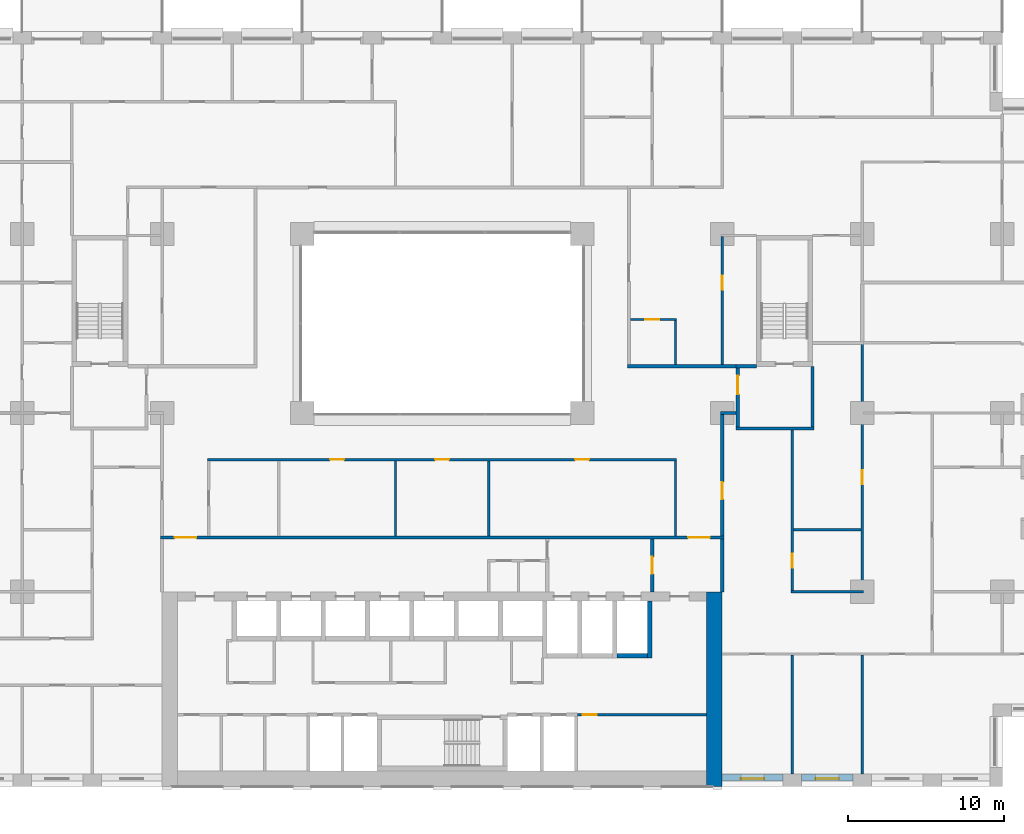
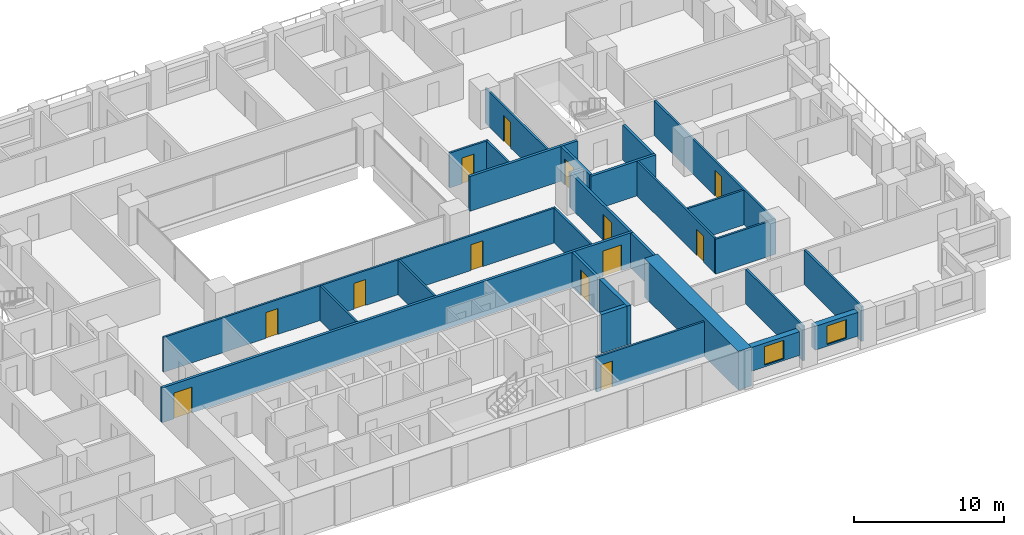
# One storey, part 12 of 20: 29 walls, 13 doors, 2 windows, 15 openings.
"""IFC4 building model written with IfcOpenShell, lengths in metres."""

from ifc_helpers import new_model, si_unit, direction, frame, frame_2d, origin, place, context, subcontext, project, spatial, rectangle, extrude, material, layer, layer_set, type_object, element, fill, save


model = new_model("IFC4")

# Units and contexts
model_context = context("Model", 3, precision=1e-05, world=origin(), true_north=direction((0.0, 1.0)))
body_context = subcontext(model_context, "Body", "Model", "MODEL_VIEW")
ifc_project = project(units=[si_unit("LENGTHUNIT", "METRE"), si_unit("AREAUNIT", "SQUARE_METRE"), si_unit("VOLUMEUNIT", "CUBIC_METRE"), si_unit("PLANEANGLEUNIT", "RADIAN"), si_unit("MASSUNIT", "GRAM", prefix="KILO")], contexts=[model_context])

# Site, building, storey
site_placement = place(None, origin())
site = spatial("IfcSite", under=ifc_project, at=site_placement, CompositionType="ELEMENT")
building_placement = place(site_placement, origin())
building = spatial("IfcBuilding", under=site, at=building_placement, Name="Brigalow Station Residences", CompositionType="ELEMENT")
storey_placement = place(building_placement, frame((0.0, 0.0, 57.300048828125)))
storey = spatial("IfcBuildingStorey", under=building, at=storey_placement, Name="L16", CompositionType="ELEMENT", Elevation=57.300048828125)

# Wall, opening, window
ifc_material_1 = material(Name="Clay brick masonry", Category="masonry")
ifc_layer_1 = layer(ifc_material_1, 0.449951171875)
ifc_layer_set_1 = layer_set([ifc_layer_1], Name="BRICK INFILL WALL 450")
wall_type_1 = type_object("IfcWallType", Name="BRICK INFILL WALL 450", PredefinedType="SOLIDWALL", material=ifc_layer_set_1)
wall_1_placement = place(storey_placement, frame((54.0, 0.574951171875, 0.89990234375), z_axis=(0.0, 0.0, 1.0), x_axis=(1.0, 0.0, 0.0)))
wall_1 = element("IfcWall", 1, at=wall_1_placement, inside=storey, type_object=wall_type_1, Name="L16/ewall/W-L16-5", PredefinedType="SOLIDWALL", context=body_context, shape_type="SweptSolid", body=[
    extrude(rectangle(XDim=3.89990234375, YDim=0.449951171875, at=frame_2d((1.949951171875, 0.0))), origin(), (0.0, 0.0, 1.0), 1.929931640625),
])
opening_1_placement = place(wall_1_placement, frame((1.199951171875, 0.0, 0.14990234375)))
opening_1 = element("IfcOpeningElement", 2, at=opening_1_placement, cuts=wall_1, Name="Opening WT-1", PredefinedType="OPENING", context=body_context, shape_type="SweptSolid", body=[
    extrude(rectangle(XDim=1.5, YDim=1.5, at=frame_2d((0.75, 0.75))), frame((0.0, 0.23486328125, 0.0), z_axis=(0.0, -1.0, 0.0), x_axis=(1.0, 0.0, 0.0)), (0.0, 0.0, 1.0), 0.469970703125),
])
ifc_material_2 = material(Name="Anodised aluminium frame with double glazing", Category="aluminium")
window_type = type_object("IfcWindowType", Name="WINDOW 1500x1500", PartitioningType="SINGLE_PANEL", PredefinedType="WINDOW", material=ifc_material_2)
window_1_placement = place(opening_1_placement, origin())
window_1 = element("IfcWindow", 3, at=window_1_placement, inside=storey, type_object=window_type, Name="L16/window/W-L16-5", OverallHeight=1.5, OverallWidth=1.5, PartitioningType="SINGLE_PANEL", PredefinedType="WINDOW", context=body_context, shape_type="SweptSolid", body=[
    extrude(rectangle(XDim=1.5, YDim=1.5, at=frame_2d((0.75, 0.75))), frame((0.0, -0.06494140625, 0.0), z_axis=(0.0, -1.0, 0.0), x_axis=(1.0, 0.0, 0.0)), (0.0, 0.0, 1.0), 0.06005859375),
])
fill(opening_1, window_1)

wall_2_placement = place(storey_placement, frame((59.10009765625, 0.574951171875, 0.89990234375), z_axis=(0.0, 0.0, 1.0), x_axis=(1.0, 0.0, 0.0)))
wall_2 = element("IfcWall", 4, at=wall_2_placement, inside=storey, type_object=wall_type_1, Name="L16/ewall/W-L16-6", PredefinedType="SOLIDWALL", context=body_context, shape_type="SweptSolid", body=[
    extrude(rectangle(XDim=3.2998046875, YDim=0.449951171875, at=frame_2d((1.64990234375, 0.0))), origin(), (0.0, 0.0, 1.0), 1.929931640625),
])
opening_2_placement = place(wall_2_placement, frame((0.89990234375, 0.0, 0.14990234375)))
opening_2 = element("IfcOpeningElement", 5, at=opening_2_placement, cuts=wall_2, Name="Opening WT-1", PredefinedType="OPENING", context=body_context, shape_type="SweptSolid", body=[
    extrude(rectangle(XDim=1.5, YDim=1.5, at=frame_2d((0.75, 0.75))), frame((0.0, 0.23486328125, 0.0), z_axis=(0.0, -1.0, 0.0), x_axis=(1.0, 0.0, 0.0)), (0.0, 0.0, 1.0), 0.469970703125),
])
window_2_placement = place(opening_2_placement, origin())
window_2 = element("IfcWindow", 6, at=window_2_placement, inside=storey, type_object=window_type, Name="L16/window/W-L16-6", OverallHeight=1.5, OverallWidth=1.5, PartitioningType="SINGLE_PANEL", PredefinedType="WINDOW", context=body_context, shape_type="SweptSolid", body=[
    extrude(rectangle(XDim=1.5, YDim=1.5, at=frame_2d((0.75, 0.75))), frame((0.0, -0.06494140625, 0.0), z_axis=(0.0, -1.0, 0.0), x_axis=(1.0, 0.0, 0.0)), (0.0, 0.0, 1.0), 0.06005859375),
])
fill(opening_2, window_2)

# Walls
ifc_material_3 = material(Name="Concrete C80", Category="concrete")
ifc_layer_2 = layer(ifc_material_3, 1.0)
ifc_layer_set_2 = layer_set([ifc_layer_2], Name="CORE SHEAR WALL 1000 C80")
wall_type_2 = type_object("IfcWallType", Name="CORE SHEAR WALL 1000 C80", PredefinedType="SHEAR", material=ifc_layer_set_2)
wall_3_placement = place(storey_placement, frame((53.5, 0.0, 0.0), z_axis=(0.0, 0.0, 1.0), x_axis=(0.0, 1.0, 0.0)))
element("IfcWall", 7, at=wall_3_placement, inside=storey, type_object=wall_type_2, Name="CORE WALL OUT-E L16", PredefinedType="SHEAR", context=body_context, shape_type="SweptSolid", body=[
    extrude(rectangle(XDim=12.5, YDim=1.0, at=frame_2d((6.25, 0.0))), origin(), (0.0, 0.0, 1.0), 3.14990234375),
])
ifc_material_4 = material(Name="Concrete C80", Category="concrete")
ifc_layer_3 = layer(ifc_material_4, 0.300048828125)
ifc_layer_set_3 = layer_set([ifc_layer_3], Name="CORE SHEAR WALL 300 C80")
wall_type_3 = type_object("IfcWallType", Name="CORE SHEAR WALL 300 C80", PredefinedType="SHEAR", material=ifc_layer_set_3)
wall_4_placement = place(storey_placement, frame((47.25, 8.39990234375, 0.0), z_axis=(0.0, 0.0, 1.0), x_axis=(1.0, 0.0, 0.0)))
element("IfcWall", 8, at=wall_4_placement, inside=storey, type_object=wall_type_3, Name="CORE WALL SH-SL1-S L16", PredefinedType="SHEAR", context=body_context, shape_type="SweptSolid", body=[
    extrude(rectangle(XDim=1.949951171875, YDim=0.300048828125, at=frame_2d((0.97509765625, 0.0))), origin(), (0.0, 0.0, 1.0), 3.14990234375),
])
wall_5_placement = place(storey_placement, frame((49.35009765625, 8.25, 0.0), z_axis=(0.0, 0.0, 1.0), x_axis=(0.0, 1.0, 0.0)))
element("IfcWall", 9, at=wall_5_placement, inside=storey, type_object=wall_type_3, Name="CORE WALL SH-SL1-E L16", PredefinedType="SHEAR", context=body_context, shape_type="SweptSolid", body=[
    extrude(rectangle(XDim=3.64990234375, YDim=0.300048828125, at=frame_2d((1.824951171875, 0.0))), origin(), (0.0, 0.0, 1.0), 3.14990234375),
])
ifc_material_5 = material(Name="Concrete blockwork", Category="masonry")
ifc_layer_4 = layer(ifc_material_5, 0.199951171875)
ifc_layer_set_4 = layer_set([ifc_layer_4], Name="FIRE RATED CORE PARTITION 200")
wall_type_4 = type_object("IfcWallType", Name="FIRE RATED CORE PARTITION 200", PredefinedType="PARTITIONING", material=ifc_layer_set_4)
wall_6_placement = place(storey_placement, frame((54.89990234375, 23.0, 0.0), z_axis=(0.0, 0.0, 1.0), x_axis=(1.0, 0.0, 0.0)))
element("IfcWall", 10, at=wall_6_placement, inside=storey, type_object=wall_type_4, Name="PW-5024", PredefinedType="PARTITIONING", context=body_context, shape_type="SweptSolid", body=[
    extrude(rectangle(XDim=5.0, YDim=0.199951171875, at=frame_2d((2.5, 0.0))), origin(), (0.0, 0.0, 1.0), 2.829833984375),
])
wall_7_placement = place(storey_placement, frame((54.89990234375, 27.0, 0.0), z_axis=(0.0, 0.0, 1.0), x_axis=(1.0, 0.0, 0.0)))
element("IfcWall", 11, at=wall_7_placement, inside=storey, type_object=wall_type_4, Name="PW-5026", PredefinedType="PARTITIONING", context=body_context, shape_type="SweptSolid", body=[
    extrude(rectangle(XDim=1.300048828125, YDim=0.199951171875, at=frame_2d((0.64990234375, 0.0))), origin(), (0.0, 0.0, 1.0), 2.829833984375),
])

# Wall, opening, door
wall_8_placement = place(storey_placement, frame((49.5, 12.5, 0.0), z_axis=(0.0, 0.0, 1.0), x_axis=(0.0, 1.0, 0.0)))
wall_8 = element("IfcWall", 12, at=wall_8_placement, inside=storey, type_object=wall_type_4, Name="PW-5015", PredefinedType="PARTITIONING", context=body_context, shape_type="SweptSolid", body=[
    extrude(rectangle(XDim=3.39990234375, YDim=0.199951171875, at=frame_2d((1.699951171875, 0.0))), origin(), (0.0, 0.0, 1.0), 2.829833984375),
])
opening_3_placement = place(wall_8_placement, frame((1.14990234375, 0.0, 0.0)))
opening_3 = element("IfcOpeningElement", 13, at=opening_3_placement, cuts=wall_8, Name="Opening D-5014", PredefinedType="OPENING", context=body_context, shape_type="SweptSolid", body=[
    extrude(rectangle(XDim=1.10009765625, YDim=2.10009765625, at=frame_2d((0.550048828125, 1.050048828125))), frame((0.0, 0.10986328125, 0.0), z_axis=(0.0, -1.0, 0.0), x_axis=(1.0, 0.0, 0.0)), (0.0, 0.0, 1.0), 0.219970703125),
])
ifc_material_6 = material(Name="Steel fire door leaf in steel frame", Category="steel")
door_type_1 = type_object("IfcDoorType", Name="LOBBY DOOR 1100 x 2100 FD60S", OperationType="SINGLE_SWING_LEFT", PredefinedType="DOOR", material=ifc_material_6)
door_1_placement = place(opening_3_placement, origin())
door_1 = element("IfcDoor", 14, at=door_1_placement, inside=storey, type_object=door_type_1, Name="D-5014", OperationType="SINGLE_SWING_RIGHT", OverallHeight=2.10009765625, OverallWidth=1.10009765625, PredefinedType="DOOR", context=body_context, shape_type="SweptSolid", body=[
    extrude(rectangle(XDim=1.10009765625, YDim=2.10009765625, at=frame_2d((0.550048828125, 1.050048828125))), frame((0.0, 0.02490234375, 0.0), z_axis=(0.0, -1.0, 0.0), x_axis=(1.0, 0.0, 0.0)), (0.0, 0.0, 1.0), 0.050048828125),
])
fill(opening_3, door_1)

# Wall
wall_9_placement = place(storey_placement, frame((54.0, 12.5, 0.0), z_axis=(0.0, 0.0, 1.0), x_axis=(0.0, 1.0, 0.0)))
element("IfcWall", 15, at=wall_9_placement, inside=storey, type_object=wall_type_4, Name="PW-5016", PredefinedType="PARTITIONING", context=body_context, shape_type="SweptSolid", body=[
    extrude(rectangle(XDim=3.39990234375, YDim=0.199951171875, at=frame_2d((1.699951171875, 0.0))), origin(), (0.0, 0.0, 1.0), 2.829833984375),
])

# Wall, opening, door
wall_10_placement = place(storey_placement, frame((55.0, 23.10009765625, 0.0), z_axis=(0.0, 0.0, 1.0), x_axis=(0.0, 1.0, 0.0)))
wall_10 = element("IfcWall", 16, at=wall_10_placement, inside=storey, type_object=wall_type_4, Name="PW-5036", PredefinedType="PARTITIONING", context=body_context, shape_type="SweptSolid", body=[
    extrude(rectangle(XDim=3.7998046875, YDim=0.199951171875, at=frame_2d((1.89990234375, 0.0))), origin(), (0.0, 0.0, 1.0), 2.829833984375),
])
opening_4_placement = place(wall_10_placement, frame((2.10009765625, 0.0, 0.0)))
opening_4 = element("IfcOpeningElement", 17, at=opening_4_placement, cuts=wall_10, Name="Opening D-5019", PredefinedType="OPENING", context=body_context, shape_type="SweptSolid", body=[
    extrude(rectangle(XDim=1.199951171875, YDim=2.10009765625, at=frame_2d((0.60009765625, 1.050048828125))), frame((0.0, 0.10986328125, 0.0), z_axis=(0.0, -1.0, 0.0), x_axis=(1.0, 0.0, 0.0)), (0.0, 0.0, 1.0), 0.219970703125),
])
ifc_material_7 = material(Name="Steel fire door leaf in steel frame", Category="steel")
door_type_2 = type_object("IfcDoorType", Name="STAIR LOBBY DOOR 1200 x 2100 FD60S", OperationType="SINGLE_SWING_LEFT", PredefinedType="DOOR", material=ifc_material_7)
door_2_placement = place(opening_4_placement, frame((1.199951171875, 0.0, 0.0), z_axis=(0.0, 0.0, 1.0), x_axis=(-1.0, 0.0, 0.0)))
door_2 = element("IfcDoor", 18, at=door_2_placement, inside=storey, type_object=door_type_2, Name="D-5019", OperationType="SINGLE_SWING_LEFT", OverallHeight=2.10009765625, OverallWidth=1.199951171875, PredefinedType="DOOR", context=body_context, shape_type="SweptSolid", body=[
    extrude(rectangle(XDim=1.199951171875, YDim=2.10009765625, at=frame_2d((0.60009765625, 1.050048828125))), frame((0.0, 0.02490234375, 0.0), z_axis=(0.0, -1.0, 0.0), x_axis=(1.0, 0.0, 0.0)), (0.0, 0.0, 1.0), 0.050048828125),
])
fill(opening_4, door_2)

# Wall
wall_11_placement = place(storey_placement, frame((59.800048828125, 23.10009765625, 0.0), z_axis=(0.0, 0.0, 1.0), x_axis=(0.0, 1.0, 0.0)))
element("IfcWall", 19, at=wall_11_placement, inside=storey, type_object=wall_type_4, Name="PW-5037", PredefinedType="PARTITIONING", context=body_context, shape_type="SweptSolid", body=[
    extrude(rectangle(XDim=3.89990234375, YDim=0.199951171875, at=frame_2d((1.949951171875, 0.0))), origin(), (0.0, 0.0, 1.0), 2.829833984375),
])

# Wall, openings, doors
ifc_material_8 = material(Name="Plasterboard on steel stud partition", Category="steel")
ifc_layer_5 = layer(ifc_material_8, 0.14990234375)
ifc_layer_set_5 = layer_set([ifc_layer_5], Name="FLAT PARTITION 150")
wall_type_5 = type_object("IfcWallType", Name="FLAT PARTITION 150", PredefinedType="PARTITIONING", material=ifc_layer_set_5)
wall_12_placement = place(storey_placement, frame((20.925048828125, 21.0, 0.0), z_axis=(0.0, 0.0, 1.0), x_axis=(1.0, 0.0, 0.0)))
wall_12 = element("IfcWall", 20, at=wall_12_placement, inside=storey, type_object=wall_type_5, Name="PW-1E01", PredefinedType="PARTITIONING", context=body_context, shape_type="SweptSolid", body=[
    extrude(rectangle(XDim=30.14990234375, YDim=0.14990234375, at=frame_2d((15.074951171875, 0.0))), origin(), (0.0, 0.0, 1.0), 2.829833984375),
])
opening_5_placement = place(wall_12_placement, frame((7.875, 0.0, 0.0)))
opening_5 = element("IfcOpeningElement", 21, at=opening_5_placement, cuts=wall_12, Name="Opening D-1E65", PredefinedType="OPENING", context=body_context, shape_type="SweptSolid", body=[
    extrude(rectangle(XDim=0.89990234375, YDim=2.10009765625, at=frame_2d((0.449951171875, 1.050048828125))), frame((0.0, 0.0849609375, 0.0), z_axis=(0.0, -1.0, 0.0), x_axis=(1.0, 0.0, 0.0)), (0.0, 0.0, 1.0), 0.169921875),
])
opening_6_placement = place(wall_12_placement, frame((14.625, 0.0, 0.0)))
opening_6 = element("IfcOpeningElement", 22, at=opening_6_placement, cuts=wall_12, Name="Opening D-1E66", PredefinedType="OPENING", context=body_context, shape_type="SweptSolid", body=[
    extrude(rectangle(XDim=0.89990234375, YDim=2.10009765625, at=frame_2d((0.449951171875, 1.050048828125))), frame((0.0, 0.0849609375, 0.0), z_axis=(0.0, -1.0, 0.0), x_axis=(1.0, 0.0, 0.0)), (0.0, 0.0, 1.0), 0.169921875),
])
opening_7_placement = place(wall_12_placement, frame((23.625, 0.0, 0.0)))
opening_7 = element("IfcOpeningElement", 23, at=opening_7_placement, cuts=wall_12, Name="Opening D-1E67", PredefinedType="OPENING", context=body_context, shape_type="SweptSolid", body=[
    extrude(rectangle(XDim=0.89990234375, YDim=2.10009765625, at=frame_2d((0.449951171875, 1.050048828125))), frame((0.0, 0.0849609375, 0.0), z_axis=(0.0, -1.0, 0.0), x_axis=(1.0, 0.0, 0.0)), (0.0, 0.0, 1.0), 0.169921875),
])
ifc_material_9 = material(Name="Solid-core timber door leaf", Category="wood")
door_type_3 = type_object("IfcDoorType", Name="INTERNAL DOOR 900 x 2100", OperationType="SINGLE_SWING_LEFT", PredefinedType="DOOR", material=ifc_material_9)
door_3_placement = place(opening_5_placement, frame((0.89990234375, 0.0, 0.0), z_axis=(0.0, 0.0, 1.0), x_axis=(-1.0, 0.0, 0.0)))
door_3 = element("IfcDoor", 24, at=door_3_placement, inside=storey, type_object=door_type_3, Name="D-1E65", OperationType="SINGLE_SWING_RIGHT", OverallHeight=2.10009765625, OverallWidth=0.89990234375, PredefinedType="DOOR", context=body_context, shape_type="SweptSolid", body=[
    extrude(rectangle(XDim=0.89990234375, YDim=2.10009765625, at=frame_2d((0.449951171875, 1.050048828125))), frame((0.0, 0.02490234375, 0.0), z_axis=(0.0, -1.0, 0.0), x_axis=(1.0, 0.0, 0.0)), (0.0, 0.0, 1.0), 0.050048828125),
])
fill(opening_5, door_3)
door_4_placement = place(opening_6_placement, frame((0.89990234375, 0.0, 0.0), z_axis=(0.0, 0.0, 1.0), x_axis=(-1.0, 0.0, 0.0)))
door_4 = element("IfcDoor", 25, at=door_4_placement, inside=storey, type_object=door_type_3, Name="D-1E66", OperationType="SINGLE_SWING_LEFT", OverallHeight=2.10009765625, OverallWidth=0.89990234375, PredefinedType="DOOR", context=body_context, shape_type="SweptSolid", body=[
    extrude(rectangle(XDim=0.89990234375, YDim=2.10009765625, at=frame_2d((0.449951171875, 1.050048828125))), frame((0.0, 0.02490234375, 0.0), z_axis=(0.0, -1.0, 0.0), x_axis=(1.0, 0.0, 0.0)), (0.0, 0.0, 1.0), 0.050048828125),
])
fill(opening_6, door_4)
door_5_placement = place(opening_7_placement, frame((0.89990234375, 0.0, 0.0), z_axis=(0.0, 0.0, 1.0), x_axis=(-1.0, 0.0, 0.0)))
door_5 = element("IfcDoor", 26, at=door_5_placement, inside=storey, type_object=door_type_3, Name="D-1E67", OperationType="SINGLE_SWING_LEFT", OverallHeight=2.10009765625, OverallWidth=0.89990234375, PredefinedType="DOOR", context=body_context, shape_type="SweptSolid", body=[
    extrude(rectangle(XDim=0.89990234375, YDim=2.10009765625, at=frame_2d((0.449951171875, 1.050048828125))), frame((0.0, 0.02490234375, 0.0), z_axis=(0.0, -1.0, 0.0), x_axis=(1.0, 0.0, 0.0)), (0.0, 0.0, 1.0), 0.050048828125),
])
fill(opening_7, door_5)

# Walls
wall_13_placement = place(storey_placement, frame((58.425048828125, 12.5, 0.0), z_axis=(0.0, 0.0, 1.0), x_axis=(1.0, 0.0, 0.0)))
element("IfcWall", 27, at=wall_13_placement, inside=storey, type_object=wall_type_5, Name="PW-1E13", PredefinedType="PARTITIONING", context=body_context, shape_type="SweptSolid", body=[
    extrude(rectangle(XDim=4.64990234375, YDim=0.14990234375, at=frame_2d((2.324951171875, 0.0))), origin(), (0.0, 0.0, 1.0), 2.829833984375),
])
wall_14_placement = place(storey_placement, frame((58.574951171875, 16.5, 0.0), z_axis=(0.0, 0.0, 1.0), x_axis=(1.0, 0.0, 0.0)))
element("IfcWall", 28, at=wall_14_placement, inside=storey, type_object=wall_type_5, Name="PW-1E19", PredefinedType="PARTITIONING", context=body_context, shape_type="SweptSolid", body=[
    extrude(rectangle(XDim=4.35009765625, YDim=0.14990234375, at=frame_2d((2.175048828125, 0.0))), origin(), (0.0, 0.0, 1.0), 2.829833984375),
])

# Wall, opening, door
wall_15_placement = place(storey_placement, frame((48.10009765625, 30.0, 0.0), z_axis=(0.0, 0.0, 1.0), x_axis=(1.0, 0.0, 0.0)))
wall_15 = element("IfcWall", 29, at=wall_15_placement, inside=storey, type_object=wall_type_5, Name="PW-1E32", PredefinedType="PARTITIONING", context=body_context, shape_type="SweptSolid", body=[
    extrude(rectangle(XDim=2.974853515625, YDim=0.14990234375, at=frame_2d((1.4873046875, 0.0))), origin(), (0.0, 0.0, 1.0), 2.829833984375),
])
opening_8_placement = place(wall_15_placement, frame((0.949951171875, 0.0, 0.0)))
opening_8 = element("IfcOpeningElement", 30, at=opening_8_placement, cuts=wall_15, Name="Opening D-1E43", PredefinedType="OPENING", context=body_context, shape_type="SweptSolid", body=[
    extrude(rectangle(XDim=0.89990234375, YDim=2.10009765625, at=frame_2d((0.449951171875, 1.050048828125))), frame((0.0, 0.0849609375, 0.0), z_axis=(0.0, -1.0, 0.0), x_axis=(1.0, 0.0, 0.0)), (0.0, 0.0, 1.0), 0.169921875),
])
door_6_placement = place(opening_8_placement, frame((0.89990234375, 0.0, 0.0), z_axis=(0.0, 0.0, 1.0), x_axis=(-1.0, 0.0, 0.0)))
door_6 = element("IfcDoor", 31, at=door_6_placement, inside=storey, type_object=door_type_3, Name="D-1E43", OperationType="SINGLE_SWING_RIGHT", OverallHeight=2.10009765625, OverallWidth=0.89990234375, PredefinedType="DOOR", context=body_context, shape_type="SweptSolid", body=[
    extrude(rectangle(XDim=0.89990234375, YDim=2.10009765625, at=frame_2d((0.449951171875, 1.050048828125))), frame((0.0, 0.02490234375, 0.0), z_axis=(0.0, -1.0, 0.0), x_axis=(1.0, 0.0, 0.0)), (0.0, 0.0, 1.0), 0.050048828125),
])
fill(opening_8, door_6)

wall_16_placement = place(storey_placement, frame((54.0, 27.10009765625, 0.0), z_axis=(0.0, 0.0, 1.0), x_axis=(0.0, 1.0, 0.0)))
wall_16 = element("IfcWall", 32, at=wall_16_placement, inside=storey, type_object=wall_type_5, Name="PW-1E40", PredefinedType="PARTITIONING", context=body_context, shape_type="SweptSolid", body=[
    extrude(rectangle(XDim=8.224853515625, YDim=0.14990234375, at=frame_2d((4.1123046875, 0.0))), origin(), (0.0, 0.0, 1.0), 2.829833984375),
])
opening_9_placement = place(wall_16_placement, frame((4.824951171875, 0.0, 0.0)))
opening_9 = element("IfcOpeningElement", 33, at=opening_9_placement, cuts=wall_16, Name="Opening D-1E46", PredefinedType="OPENING", context=body_context, shape_type="SweptSolid", body=[
    extrude(rectangle(XDim=0.89990234375, YDim=2.10009765625, at=frame_2d((0.449951171875, 1.050048828125))), frame((0.0, 0.0849609375, 0.0), z_axis=(0.0, -1.0, 0.0), x_axis=(1.0, 0.0, 0.0)), (0.0, 0.0, 1.0), 0.169921875),
])
door_7_placement = place(opening_9_placement, frame((0.89990234375, 0.0, 0.0), z_axis=(0.0, 0.0, 1.0), x_axis=(-1.0, 0.0, 0.0)))
door_7 = element("IfcDoor", 34, at=door_7_placement, inside=storey, type_object=door_type_3, Name="D-1E46", OperationType="SINGLE_SWING_LEFT", OverallHeight=2.10009765625, OverallWidth=0.89990234375, PredefinedType="DOOR", context=body_context, shape_type="SweptSolid", body=[
    extrude(rectangle(XDim=0.89990234375, YDim=2.10009765625, at=frame_2d((0.449951171875, 1.050048828125))), frame((0.0, 0.02490234375, 0.0), z_axis=(0.0, -1.0, 0.0), x_axis=(1.0, 0.0, 0.0)), (0.0, 0.0, 1.0), 0.050048828125),
])
fill(opening_9, door_7)

# Walls
wall_17_placement = place(storey_placement, frame((51.0, 16.10009765625, 0.0), z_axis=(0.0, 0.0, 1.0), x_axis=(0.0, 1.0, 0.0)))
element("IfcWall", 35, at=wall_17_placement, inside=storey, type_object=wall_type_5, Name="PW-1E44", PredefinedType="PARTITIONING", context=body_context, shape_type="SweptSolid", body=[
    extrude(rectangle(XDim=4.824951171875, YDim=0.14990234375, at=frame_2d((2.41259765625, 0.0))), origin(), (0.0, 0.0, 1.0), 2.829833984375),
])
wall_18_placement = place(storey_placement, frame((51.0, 27.10009765625, 0.0), z_axis=(0.0, 0.0, 1.0), x_axis=(0.0, 1.0, 0.0)))
element("IfcWall", 36, at=wall_18_placement, inside=storey, type_object=wall_type_5, Name="PW-1E45", PredefinedType="PARTITIONING", context=body_context, shape_type="SweptSolid", body=[
    extrude(rectangle(XDim=2.824951171875, YDim=0.14990234375, at=frame_2d((1.41259765625, 0.0))), origin(), (0.0, 0.0, 1.0), 2.829833984375),
])
wall_19_placement = place(storey_placement, frame((33.0, 16.10009765625, 0.0), z_axis=(0.0, 0.0, 1.0), x_axis=(0.0, 1.0, 0.0)))
element("IfcWall", 37, at=wall_19_placement, inside=storey, type_object=wall_type_5, Name="PW-1E60", PredefinedType="PARTITIONING", context=body_context, shape_type="SweptSolid", body=[
    extrude(rectangle(XDim=4.824951171875, YDim=0.14990234375, at=frame_2d((2.41259765625, 0.0))), origin(), (0.0, 0.0, 1.0), 2.829833984375),
])
wall_20_placement = place(storey_placement, frame((63.0, 0.800048828125, 0.0), z_axis=(0.0, 0.0, 1.0), x_axis=(0.0, 1.0, 0.0)))
element("IfcWall", 38, at=wall_20_placement, inside=storey, type_object=wall_type_5, Name="PW-1E68", PredefinedType="PARTITIONING", context=body_context, shape_type="SweptSolid", body=[
    extrude(rectangle(XDim=7.625, YDim=0.14990234375, at=frame_2d((3.8125, 0.0))), origin(), (0.0, 0.0, 1.0), 2.829833984375),
])

# Wall, opening, door
wall_21_placement = place(storey_placement, frame((63.0, 12.574951171875, 0.0), z_axis=(0.0, 0.0, 1.0), x_axis=(0.0, 1.0, 0.0)))
wall_21 = element("IfcWall", 39, at=wall_21_placement, inside=storey, type_object=wall_type_5, Name="PW-1E69", PredefinedType="PARTITIONING", context=body_context, shape_type="SweptSolid", body=[
    extrude(rectangle(XDim=15.85009765625, YDim=0.14990234375, at=frame_2d((7.925048828125, 0.0))), origin(), (0.0, 0.0, 1.0), 2.829833984375),
])
opening_10_placement = place(wall_21_placement, frame((6.85009765625, 0.0, 0.0)))
opening_10 = element("IfcOpeningElement", 40, at=opening_10_placement, cuts=wall_21, Name="Opening D-1E61", PredefinedType="OPENING", context=body_context, shape_type="SweptSolid", body=[
    extrude(rectangle(XDim=0.89990234375, YDim=2.10009765625, at=frame_2d((0.449951171875, 1.050048828125))), frame((0.0, 0.0849609375, 0.0), z_axis=(0.0, -1.0, 0.0), x_axis=(1.0, 0.0, 0.0)), (0.0, 0.0, 1.0), 0.169921875),
])
door_8_placement = place(opening_10_placement, origin())
door_8 = element("IfcDoor", 41, at=door_8_placement, inside=storey, type_object=door_type_3, Name="D-1E61", OperationType="SINGLE_SWING_LEFT", OverallHeight=2.10009765625, OverallWidth=0.89990234375, PredefinedType="DOOR", context=body_context, shape_type="SweptSolid", body=[
    extrude(rectangle(XDim=0.89990234375, YDim=2.10009765625, at=frame_2d((0.449951171875, 1.050048828125))), frame((0.0, 0.02490234375, 0.0), z_axis=(0.0, -1.0, 0.0), x_axis=(1.0, 0.0, 0.0)), (0.0, 0.0, 1.0), 0.050048828125),
])
fill(opening_10, door_8)

# Wall
wall_22_placement = place(storey_placement, frame((58.5, 0.800048828125, 0.0), z_axis=(0.0, 0.0, 1.0), x_axis=(0.0, 1.0, 0.0)))
element("IfcWall", 42, at=wall_22_placement, inside=storey, type_object=wall_type_5, Name="PW-1E77", PredefinedType="PARTITIONING", context=body_context, shape_type="SweptSolid", body=[
    extrude(rectangle(XDim=7.625, YDim=0.14990234375, at=frame_2d((3.8125, 0.0))), origin(), (0.0, 0.0, 1.0), 2.829833984375),
])

# Wall, opening, door
wall_23_placement = place(storey_placement, frame((58.5, 12.574951171875, 0.0), z_axis=(0.0, 0.0, 1.0), x_axis=(0.0, 1.0, 0.0)))
wall_23 = element("IfcWall", 43, at=wall_23_placement, inside=storey, type_object=wall_type_5, Name="PW-1E78", PredefinedType="PARTITIONING", context=body_context, shape_type="SweptSolid", body=[
    extrude(rectangle(XDim=10.324951171875, YDim=0.14990234375, at=frame_2d((5.16259765625, 0.0))), origin(), (0.0, 0.0, 1.0), 2.829833984375),
])
opening_11_placement = place(wall_23_placement, frame((1.47509765625, 0.0, 0.0)))
opening_11 = element("IfcOpeningElement", 44, at=opening_11_placement, cuts=wall_23, Name="Opening D-1E51", PredefinedType="OPENING", context=body_context, shape_type="SweptSolid", body=[
    extrude(rectangle(XDim=0.89990234375, YDim=2.10009765625, at=frame_2d((0.449951171875, 1.050048828125))), frame((0.0, 0.0849609375, 0.0), z_axis=(0.0, -1.0, 0.0), x_axis=(1.0, 0.0, 0.0)), (0.0, 0.0, 1.0), 0.169921875),
])
door_9_placement = place(opening_11_placement, frame((0.89990234375, 0.0, 0.0), z_axis=(0.0, 0.0, 1.0), x_axis=(-1.0, 0.0, 0.0)))
door_9 = element("IfcDoor", 45, at=door_9_placement, inside=storey, type_object=door_type_3, Name="D-1E51", OperationType="SINGLE_SWING_LEFT", OverallHeight=2.10009765625, OverallWidth=0.89990234375, PredefinedType="DOOR", context=body_context, shape_type="SweptSolid", body=[
    extrude(rectangle(XDim=0.89990234375, YDim=2.10009765625, at=frame_2d((0.449951171875, 1.050048828125))), frame((0.0, 0.02490234375, 0.0), z_axis=(0.0, -1.0, 0.0), x_axis=(1.0, 0.0, 0.0)), (0.0, 0.0, 1.0), 0.050048828125),
])
fill(opening_11, door_9)

# Walls
wall_24_placement = place(storey_placement, frame((39.0, 16.10009765625, 0.0), z_axis=(0.0, 0.0, 1.0), x_axis=(0.0, 1.0, 0.0)))
element("IfcWall", 46, at=wall_24_placement, inside=storey, type_object=wall_type_5, Name="PW-1E83", PredefinedType="PARTITIONING", context=body_context, shape_type="SweptSolid", body=[
    extrude(rectangle(XDim=4.824951171875, YDim=0.14990234375, at=frame_2d((2.41259765625, 0.0))), origin(), (0.0, 0.0, 1.0), 2.829833984375),
])
ifc_material_10 = material(Name="Plasterboard on steel stud partition", Category="steel")
ifc_layer_6 = layer(ifc_material_10, 0.199951171875)
ifc_layer_set_6 = layer_set([ifc_layer_6], Name="PARTY AND CORRIDOR WALL 200")
wall_type_6 = type_object("IfcWallType", Name="PARTY AND CORRIDOR WALL 200", PredefinedType="PARTITIONING", material=ifc_layer_set_6)
wall_25_placement = place(storey_placement, frame((53.89990234375, 24.0, 0.0), z_axis=(0.0, 0.0, 1.0), x_axis=(1.0, 0.0, 0.0)))
element("IfcWall", 47, at=wall_25_placement, inside=storey, type_object=wall_type_6, Name="PW-1E05", PredefinedType="PARTITIONING", context=body_context, shape_type="SweptSolid", body=[
    extrude(rectangle(XDim=1.0, YDim=0.199951171875, at=frame_2d((0.5, 0.0))), origin(), (0.0, 0.0, 1.0), 2.829833984375),
])
wall_26_placement = place(storey_placement, frame((47.89990234375, 27.0, 0.0), z_axis=(0.0, 0.0, 1.0), x_axis=(1.0, 0.0, 0.0)))
element("IfcWall", 48, at=wall_26_placement, inside=storey, type_object=wall_type_6, Name="PW-1E07", PredefinedType="PARTITIONING", context=body_context, shape_type="SweptSolid", body=[
    extrude(rectangle(XDim=7.0, YDim=0.199951171875, at=frame_2d((3.5, 0.0))), origin(), (0.0, 0.0, 1.0), 2.829833984375),
])

# Wall, openings, doors
wall_27_placement = place(storey_placement, frame((17.89990234375, 16.0, 0.0), z_axis=(0.0, 0.0, 1.0), x_axis=(1.0, 0.0, 0.0)))
wall_27 = element("IfcWall", 49, at=wall_27_placement, inside=storey, type_object=wall_type_6, Name="PW-1E36", PredefinedType="PARTITIONING", context=body_context, shape_type="SweptSolid", body=[
    extrude(rectangle(XDim=36.2001953125, YDim=0.199951171875, at=frame_2d((18.10009765625, 0.0))), origin(), (0.0, 0.0, 1.0), 2.829833984375),
])
opening_12_placement = place(wall_27_placement, frame((0.89990234375, 0.0, 0.0)))
opening_12 = element("IfcOpeningElement", 50, at=opening_12_placement, cuts=wall_27, Name="Opening D-1E01", PredefinedType="OPENING", context=body_context, shape_type="SweptSolid", body=[
    extrude(rectangle(XDim=1.39990234375, YDim=2.10009765625, at=frame_2d((0.699951171875, 1.050048828125))), frame((0.0, 0.10986328125, 0.0), z_axis=(0.0, -1.0, 0.0), x_axis=(1.0, 0.0, 0.0)), (0.0, 0.0, 1.0), 0.219970703125),
])
opening_13_placement = place(wall_27_placement, frame((33.89990234375, 0.0, 0.0)))
opening_13 = element("IfcOpeningElement", 51, at=opening_13_placement, cuts=wall_27, Name="Opening D-1E02", PredefinedType="OPENING", context=body_context, shape_type="SweptSolid", body=[
    extrude(rectangle(XDim=1.39990234375, YDim=2.10009765625, at=frame_2d((0.699951171875, 1.050048828125))), frame((0.0, 0.10986328125, 0.0), z_axis=(0.0, -1.0, 0.0), x_axis=(1.0, 0.0, 0.0)), (0.0, 0.0, 1.0), 0.219970703125),
])
ifc_material_11 = material(Name="Solid-core timber door leaf", Category="wood")
door_type_4 = type_object("IfcDoorType", Name="CORRIDOR FIRE DOOR 1400 x 2100 FRL -/60/30", OperationType="DOUBLE_DOOR_SINGLE_SWING", PredefinedType="DOOR", material=ifc_material_11)
door_10_placement = place(opening_12_placement, frame((1.39990234375, 0.0, 0.0), z_axis=(0.0, 0.0, 1.0), x_axis=(-1.0, 0.0, 0.0)))
door_10 = element("IfcDoor", 52, at=door_10_placement, inside=storey, type_object=door_type_4, Name="D-1E01", OperationType="DOUBLE_DOOR_SINGLE_SWING", OverallHeight=2.10009765625, OverallWidth=1.39990234375, PredefinedType="DOOR", context=body_context, shape_type="SweptSolid", body=[
    extrude(rectangle(XDim=1.39990234375, YDim=2.10009765625, at=frame_2d((0.699951171875, 1.050048828125))), frame((0.0, 0.02490234375, 0.0), z_axis=(0.0, -1.0, 0.0), x_axis=(1.0, 0.0, 0.0)), (0.0, 0.0, 1.0), 0.050048828125),
])
fill(opening_12, door_10)
door_11_placement = place(opening_13_placement, frame((1.39990234375, 0.0, 0.0), z_axis=(0.0, 0.0, 1.0), x_axis=(-1.0, 0.0, 0.0)))
door_11 = element("IfcDoor", 53, at=door_11_placement, inside=storey, type_object=door_type_4, Name="D-1E02", OperationType="DOUBLE_DOOR_SINGLE_SWING", OverallHeight=2.10009765625, OverallWidth=1.39990234375, PredefinedType="DOOR", context=body_context, shape_type="SweptSolid", body=[
    extrude(rectangle(XDim=1.39990234375, YDim=2.10009765625, at=frame_2d((0.699951171875, 1.050048828125))), frame((0.0, 0.02490234375, 0.0), z_axis=(0.0, -1.0, 0.0), x_axis=(1.0, 0.0, 0.0)), (0.0, 0.0, 1.0), 0.050048828125),
])
fill(opening_13, door_11)

# Wall, opening, door
wall_28_placement = place(storey_placement, frame((54.0, 16.10009765625, 0.0), z_axis=(0.0, 0.0, 1.0), x_axis=(0.0, 1.0, 0.0)))
wall_28 = element("IfcWall", 54, at=wall_28_placement, inside=storey, type_object=wall_type_6, Name="PW-1E42", PredefinedType="PARTITIONING", context=body_context, shape_type="SweptSolid", body=[
    extrude(rectangle(XDim=7.7998046875, YDim=0.199951171875, at=frame_2d((3.89990234375, 0.0))), origin(), (0.0, 0.0, 1.0), 2.829833984375),
])
opening_14_placement = place(wall_28_placement, frame((2.35009765625, 0.0, 0.0)))
opening_14 = element("IfcOpeningElement", 55, at=opening_14_placement, cuts=wall_28, Name="Opening D-1E63", PredefinedType="OPENING", context=body_context, shape_type="SweptSolid", body=[
    extrude(rectangle(XDim=1.10009765625, YDim=2.10009765625, at=frame_2d((0.550048828125, 1.050048828125))), frame((0.0, 0.10986328125, 0.0), z_axis=(0.0, -1.0, 0.0), x_axis=(1.0, 0.0, 0.0)), (0.0, 0.0, 1.0), 0.219970703125),
])
ifc_material_12 = material(Name="Solid-core timber door leaf", Category="wood")
door_type_5 = type_object("IfcDoorType", Name="FLAT ENTRANCE DOOR 1100 x 2100 FRL -/60/30", OperationType="SINGLE_SWING_LEFT", PredefinedType="DOOR", material=ifc_material_12)
door_12_placement = place(opening_14_placement, frame((1.10009765625, 0.0, 0.0), z_axis=(0.0, 0.0, 1.0), x_axis=(-1.0, 0.0, 0.0)))
door_12 = element("IfcDoor", 56, at=door_12_placement, inside=storey, type_object=door_type_5, Name="D-1E63", OperationType="SINGLE_SWING_LEFT", OverallHeight=2.10009765625, OverallWidth=1.10009765625, PredefinedType="DOOR", context=body_context, shape_type="SweptSolid", body=[
    extrude(rectangle(XDim=1.10009765625, YDim=2.10009765625, at=frame_2d((0.550048828125, 1.050048828125))), frame((0.0, 0.02490234375, 0.0), z_axis=(0.0, -1.0, 0.0), x_axis=(1.0, 0.0, 0.0)), (0.0, 0.0, 1.0), 0.050048828125),
])
fill(opening_14, door_12)

ifc_material_13 = material(Name="Plasterboard on steel studs", Category="steel")
ifc_layer_7 = layer(ifc_material_13, 0.14990234375)
ifc_layer_set_7 = layer_set([ifc_layer_7], Name="SERVICE ROOM PARTITION 150")
wall_type_7 = type_object("IfcWallType", Name="SERVICE ROOM PARTITION 150", PredefinedType="PARTITIONING", material=ifc_layer_set_7)
wall_29_placement = place(storey_placement, frame((44.699951171875, 4.60009765625, 0.0), z_axis=(0.0, 0.0, 1.0), x_axis=(1.0, 0.0, 0.0)))
wall_29 = element("IfcWall", 57, at=wall_29_placement, inside=storey, type_object=wall_type_7, Name="PW-5020", PredefinedType="PARTITIONING", context=body_context, shape_type="SweptSolid", body=[
    extrude(rectangle(XDim=8.300048828125, YDim=0.14990234375, at=frame_2d((4.14990234375, 0.0))), origin(), (0.0, 0.0, 1.0), 2.829833984375),
])
opening_15_placement = place(wall_29_placement, frame((0.35009765625, 0.0, 0.0)))
opening_15 = element("IfcOpeningElement", 58, at=opening_15_placement, cuts=wall_29, Name="Opening D-5026", PredefinedType="OPENING", context=body_context, shape_type="SweptSolid", body=[
    extrude(rectangle(XDim=0.89990234375, YDim=2.10009765625, at=frame_2d((0.449951171875, 1.050048828125))), frame((0.0, 0.0849609375, 0.0), z_axis=(0.0, -1.0, 0.0), x_axis=(1.0, 0.0, 0.0)), (0.0, 0.0, 1.0), 0.169921875),
])
ifc_material_14 = material(Name="Steel door leaf in steel frame", Category="steel")
door_type_6 = type_object("IfcDoorType", Name="SERVICE ROOM DOOR 900 x 2100 FD60", OperationType="SINGLE_SWING_LEFT", PredefinedType="DOOR", material=ifc_material_14)
door_13_placement = place(opening_15_placement, frame((0.89990234375, 0.0, 0.0), z_axis=(0.0, 0.0, 1.0), x_axis=(-1.0, 0.0, 0.0)))
door_13 = element("IfcDoor", 59, at=door_13_placement, inside=storey, type_object=door_type_6, Name="D-5026", OperationType="SINGLE_SWING_RIGHT", OverallHeight=2.10009765625, OverallWidth=0.89990234375, PredefinedType="DOOR", context=body_context, shape_type="SweptSolid", body=[
    extrude(rectangle(XDim=0.89990234375, YDim=2.10009765625, at=frame_2d((0.449951171875, 1.050048828125))), frame((0.0, 0.02490234375, 0.0), z_axis=(0.0, -1.0, 0.0), x_axis=(1.0, 0.0, 0.0)), (0.0, 0.0, 1.0), 0.050048828125),
])
fill(opening_15, door_13)

save(model, "model.ifc")
